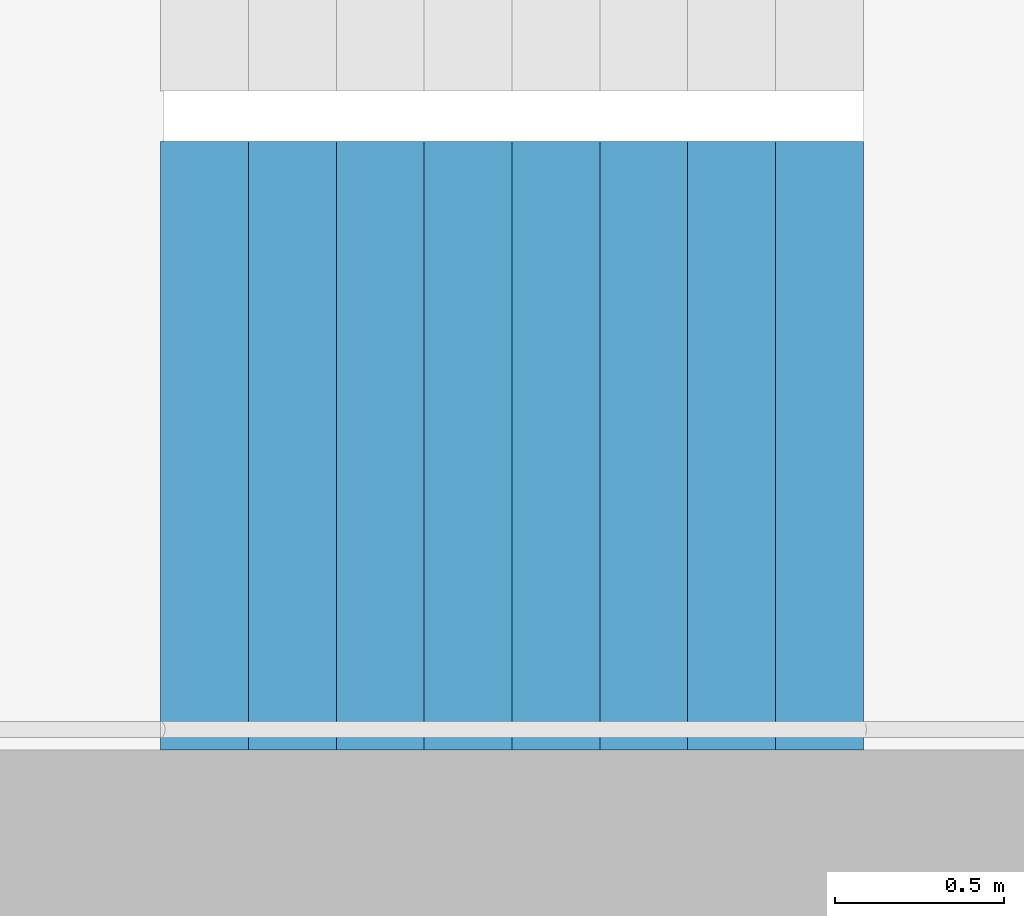
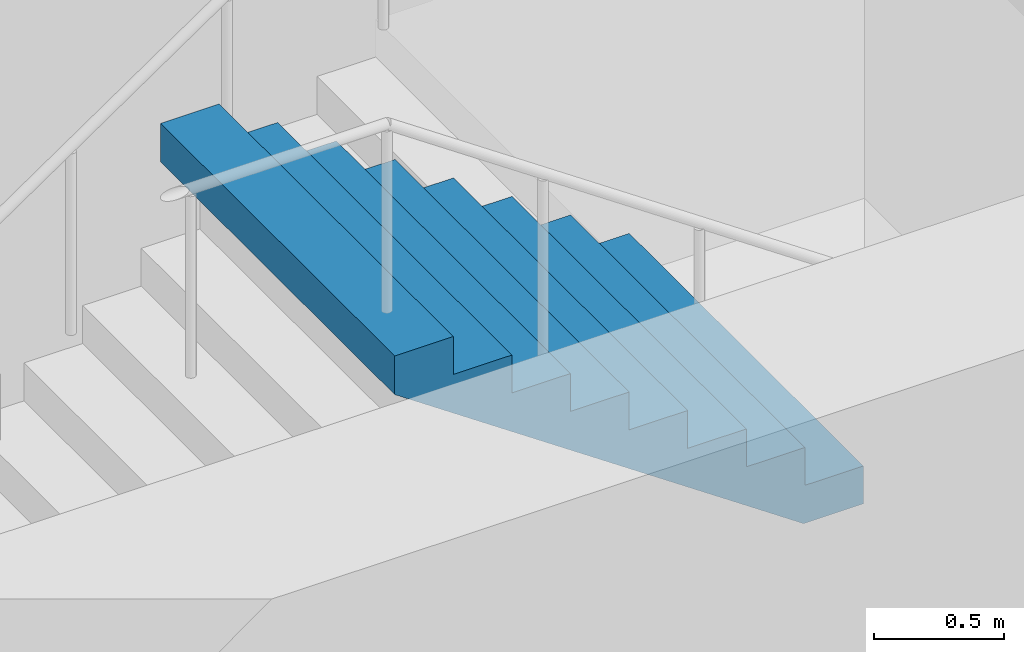
# One storey, part 25 of 29: 1 stair flight, 1 element without a shape of its own.
"""IFC4 building model written with IfcOpenShell, lengths in metres."""

from ifc_helpers import new_model, si_unit, direction, frame, origin, place, context, subcontext, project, spatial, triangles, material, type_object, element, aggregate, save


model = new_model("IFC4")

# Units and contexts
model_context = context("Model", 3, precision=1e-05, world=origin(), true_north=direction((0.0, 1.0)))
body_context = subcontext(model_context, "Body", "Model", "MODEL_VIEW")
ifc_project = project(units=[si_unit("LENGTHUNIT", "METRE"), si_unit("AREAUNIT", "SQUARE_METRE"), si_unit("VOLUMEUNIT", "CUBIC_METRE"), si_unit("PLANEANGLEUNIT", "RADIAN"), si_unit("MASSUNIT", "GRAM", prefix="KILO")], contexts=[model_context])

# Site, building, storey
site_placement = place(None, origin())
site = spatial("IfcSite", under=ifc_project, at=site_placement, CompositionType="ELEMENT")
building_placement = place(site_placement, origin())
building = spatial("IfcBuilding", under=site, at=building_placement, Name="Hakoniwa Tower and Hamabe Station Hall", CompositionType="ELEMENT")
storey_placement = place(building_placement, frame((0.0, 0.0, 97.800048828125)))
storey = spatial("IfcBuildingStorey", under=building, at=storey_placement, Name="L27", CompositionType="ELEMENT", Elevation=97.800048828125)

# Stair, stair flight
ifc_material_1 = material(Name="Concrete C40", Category="concrete")
stair_type = type_object("IfcStairType", Name="ESCAPE STAIR 1800", PredefinedType="HALF_TURN_STAIR", material=ifc_material_1)
stair_placement = place(storey_placement, origin())
stair = element("IfcStair", 1, at=stair_placement, inside=storey, type_object=stair_type, Name="Escape stair ST-4 L27", PredefinedType="HALF_TURN_STAIR")
ifc_material_2 = material(Name="Concrete C40", Category="concrete")
stair_flight_type = type_object("IfcStairFlightType", Name="STAIR FLIGHT 1800", PredefinedType="STRAIGHT", material=ifc_material_2)
stair_flight_placement = place(storey_placement, frame((25.47998046875, -6.60009765625, 1.599853515625), z_axis=(0.0, 0.0, 1.0), x_axis=(-1.0, 0.0, 0.0)))
stair_flight = element("IfcStairFlight", 2, at=stair_flight_placement, type_object=stair_flight_type, Name="ST-4 flight 2", NumberOfRisers=9, NumberOfTreads=8, PredefinedType="STRAIGHT", RiserHeight=0.177777778, TreadLength=0.26, context=body_context, shape_type="Tessellation", body=[
    triangles([(0.0, 0.89990234375, 0.0), (0.260009765625, 0.89990234375, 0.0), (0.265625, 0.89990234375, 0.0), (0.52001953125, 0.89990234375, 0.174072265625), (0.780029296875, 0.89990234375, 0.351806640625), (1.0400390625, 0.89990234375, 0.529541015625), (1.300048828125, 0.89990234375, 0.707275390625), (1.56005859375, 0.89990234375, 0.885009765625), (1.820068359375, 0.89990234375, 1.062744140625), (2.080078125, 0.89990234375, 1.24072265625), (2.080078125, 0.89990234375, 1.422119140625), (1.820068359375, 0.89990234375, 1.422119140625), (1.820068359375, 0.89990234375, 1.244384765625), (1.56005859375, 0.89990234375, 1.244384765625), (1.56005859375, 0.89990234375, 1.066650390625), (1.300048828125, 0.89990234375, 1.066650390625), (1.300048828125, 0.89990234375, 0.888916015625), (1.0400390625, 0.89990234375, 0.888916015625), (1.0400390625, 0.89990234375, 0.711181640625), (0.780029296875, 0.89990234375, 0.711181640625), (0.780029296875, 0.89990234375, 0.533447265625), (0.52001953125, 0.89990234375, 0.533447265625), (0.52001953125, 0.89990234375, 0.35546875), (0.265625, 0.89990234375, 0.35546875), (0.260009765625, 0.89990234375, 0.35546875), (0.260009765625, 0.89990234375, 0.177734375), (0.0, 0.89990234375, 0.177734375), (0.0, 0.06005859375, 0.0), (0.260009765625, 0.06005859375, 0.0), (0.265625, 0.06005859375, 0.0), (0.52001953125, 0.06005859375, 0.174072265625), (0.780029296875, 0.06005859375, 0.351806640625), (1.0400390625, 0.06005859375, 0.529541015625), (1.300048828125, 0.06005859375, 0.707275390625), (1.56005859375, 0.06005859375, 0.885009765625), (1.820068359375, 0.06005859375, 1.062744140625), (2.080078125, 0.06005859375, 1.24072265625), (2.080078125, 0.06005859375, 1.422119140625), (1.820068359375, 0.06005859375, 1.422119140625), (1.820068359375, 0.06005859375, 1.244384765625), (1.56005859375, 0.06005859375, 1.244384765625), (1.56005859375, 0.06005859375, 1.066650390625), (1.300048828125, 0.06005859375, 1.066650390625), (1.300048828125, 0.06005859375, 0.888916015625), (1.0400390625, 0.06005859375, 0.888916015625), (1.0400390625, 0.06005859375, 0.711181640625), (0.780029296875, 0.06005859375, 0.711181640625), (0.780029296875, 0.06005859375, 0.533447265625), (0.52001953125, 0.06005859375, 0.533447265625), (0.52001953125, 0.06005859375, 0.35546875), (0.265625, 0.06005859375, 0.35546875), (0.260009765625, 0.06005859375, 0.35546875), (0.260009765625, 0.06005859375, 0.177734375), (0.0, 0.06005859375, 0.177734375), (0.0, 0.04296875, 0.0), (0.260009765625, 0.04296875, 0.0), (0.265625, 0.04296875, 0.0), (0.52001953125, 0.04296875, 0.174072265625), (0.780029296875, 0.04296875, 0.351806640625), (1.0400390625, 0.04296875, 0.529541015625), (1.300048828125, 0.04296875, 0.707275390625), (1.56005859375, 0.04296875, 0.885009765625), (1.820068359375, 0.04296875, 1.062744140625), (2.080078125, 0.04296875, 1.24072265625), (2.080078125, 0.04296875, 1.422119140625), (1.820068359375, 0.04296875, 1.422119140625), (1.820068359375, 0.04296875, 1.244384765625), (1.56005859375, 0.04296875, 1.244384765625), (1.56005859375, 0.04296875, 1.066650390625), (1.300048828125, 0.04296875, 1.066650390625), (1.300048828125, 0.04296875, 0.888916015625), (1.0400390625, 0.04296875, 0.888916015625), (1.0400390625, 0.04296875, 0.711181640625), (0.780029296875, 0.04296875, 0.711181640625), (0.780029296875, 0.04296875, 0.533447265625), (0.52001953125, 0.04296875, 0.533447265625), (0.52001953125, 0.04296875, 0.35546875), (0.265625, 0.04296875, 0.35546875), (0.260009765625, 0.04296875, 0.35546875), (0.260009765625, 0.04296875, 0.177734375), (0.0, 0.04296875, 0.177734375), (0.0, 0.025634765625, 0.0), (0.260009765625, 0.025634765625, 0.0), (0.265625, 0.025634765625, 0.0), (0.52001953125, 0.025634765625, 0.174072265625), (0.780029296875, 0.025634765625, 0.351806640625), (1.0400390625, 0.025634765625, 0.529541015625), (1.300048828125, 0.025634765625, 0.707275390625), (1.56005859375, 0.025634765625, 0.885009765625), (1.820068359375, 0.025634765625, 1.062744140625), (2.080078125, 0.025634765625, 1.24072265625), (2.080078125, 0.025634765625, 1.422119140625), (1.820068359375, 0.025634765625, 1.422119140625), (1.820068359375, 0.025634765625, 1.244384765625), (1.56005859375, 0.025634765625, 1.244384765625), (1.56005859375, 0.025634765625, 1.066650390625), (1.300048828125, 0.025634765625, 1.066650390625), (1.300048828125, 0.025634765625, 0.888916015625), (1.0400390625, 0.025634765625, 0.888916015625), (1.0400390625, 0.025634765625, 0.711181640625), (0.780029296875, 0.025634765625, 0.711181640625), (0.780029296875, 0.025634765625, 0.533447265625), (0.52001953125, 0.025634765625, 0.533447265625), (0.52001953125, 0.025634765625, 0.35546875), (0.265625, 0.025634765625, 0.35546875), (0.260009765625, 0.025634765625, 0.35546875), (0.260009765625, 0.025634765625, 0.177734375), (0.0, 0.025634765625, 0.177734375), (0.0, 0.008544921875, 0.0), (0.260009765625, 0.008544921875, 0.0), (0.265625, 0.008544921875, 0.0), (0.52001953125, 0.008544921875, 0.174072265625), (0.780029296875, 0.008544921875, 0.351806640625), (1.0400390625, 0.008544921875, 0.529541015625), (1.300048828125, 0.008544921875, 0.707275390625), (1.56005859375, 0.008544921875, 0.885009765625), (1.820068359375, 0.008544921875, 1.062744140625), (2.080078125, 0.008544921875, 1.24072265625), (2.080078125, 0.008544921875, 1.422119140625), (1.820068359375, 0.008544921875, 1.422119140625), (1.820068359375, 0.008544921875, 1.244384765625), (1.56005859375, 0.008544921875, 1.244384765625), (1.56005859375, 0.008544921875, 1.066650390625), (1.300048828125, 0.008544921875, 1.066650390625), (1.300048828125, 0.008544921875, 0.888916015625), (1.0400390625, 0.008544921875, 0.888916015625), (1.0400390625, 0.008544921875, 0.711181640625), (0.780029296875, 0.008544921875, 0.711181640625), (0.780029296875, 0.008544921875, 0.533447265625), (0.52001953125, 0.008544921875, 0.533447265625), (0.52001953125, 0.008544921875, 0.35546875), (0.265625, 0.008544921875, 0.35546875), (0.260009765625, 0.008544921875, 0.35546875), (0.260009765625, 0.008544921875, 0.177734375), (0.0, 0.008544921875, 0.177734375), (0.0, -0.008544921875, 0.0), (0.260009765625, -0.008544921875, 0.0), (0.265625, -0.008544921875, 0.0), (0.52001953125, -0.008544921875, 0.174072265625), (0.780029296875, -0.008544921875, 0.351806640625), (1.0400390625, -0.008544921875, 0.529541015625), (1.300048828125, -0.008544921875, 0.707275390625), (1.56005859375, -0.008544921875, 0.885009765625), (1.820068359375, -0.008544921875, 1.062744140625), (2.080078125, -0.008544921875, 1.24072265625), (2.080078125, -0.008544921875, 1.422119140625), (1.820068359375, -0.008544921875, 1.422119140625), (1.820068359375, -0.008544921875, 1.244384765625), (1.56005859375, -0.008544921875, 1.244384765625), (1.56005859375, -0.008544921875, 1.066650390625), (1.300048828125, -0.008544921875, 1.066650390625), (1.300048828125, -0.008544921875, 0.888916015625), (1.0400390625, -0.008544921875, 0.888916015625), (1.0400390625, -0.008544921875, 0.711181640625), (0.780029296875, -0.008544921875, 0.711181640625), (0.780029296875, -0.008544921875, 0.533447265625), (0.52001953125, -0.008544921875, 0.533447265625), (0.52001953125, -0.008544921875, 0.35546875), (0.265625, -0.008544921875, 0.35546875), (0.260009765625, -0.008544921875, 0.35546875), (0.260009765625, -0.008544921875, 0.177734375), (0.0, -0.008544921875, 0.177734375), (0.0, -0.025634765625, 0.0), (0.260009765625, -0.025634765625, 0.0), (0.265625, -0.025634765625, 0.0), (0.52001953125, -0.025634765625, 0.174072265625), (0.780029296875, -0.025634765625, 0.351806640625), (1.0400390625, -0.025634765625, 0.529541015625), (1.300048828125, -0.025634765625, 0.707275390625), (1.56005859375, -0.025634765625, 0.885009765625), (1.820068359375, -0.025634765625, 1.062744140625), (2.080078125, -0.025634765625, 1.24072265625), (2.080078125, -0.025634765625, 1.422119140625), (1.820068359375, -0.025634765625, 1.422119140625), (1.820068359375, -0.025634765625, 1.244384765625), (1.56005859375, -0.025634765625, 1.244384765625), (1.56005859375, -0.025634765625, 1.066650390625), (1.300048828125, -0.025634765625, 1.066650390625), (1.300048828125, -0.025634765625, 0.888916015625), (1.0400390625, -0.025634765625, 0.888916015625), (1.0400390625, -0.025634765625, 0.711181640625), (0.780029296875, -0.025634765625, 0.711181640625), (0.780029296875, -0.025634765625, 0.533447265625), (0.52001953125, -0.025634765625, 0.533447265625), (0.52001953125, -0.025634765625, 0.35546875), (0.265625, -0.025634765625, 0.35546875), (0.260009765625, -0.025634765625, 0.35546875), (0.260009765625, -0.025634765625, 0.177734375), (0.0, -0.025634765625, 0.177734375), (0.0, -0.04296875, 0.0), (0.260009765625, -0.04296875, 0.0), (0.265625, -0.04296875, 0.0), (0.52001953125, -0.04296875, 0.174072265625), (0.780029296875, -0.04296875, 0.351806640625), (1.0400390625, -0.04296875, 0.529541015625), (1.300048828125, -0.04296875, 0.707275390625), (1.56005859375, -0.04296875, 0.885009765625), (1.820068359375, -0.04296875, 1.062744140625), (2.080078125, -0.04296875, 1.24072265625), (2.080078125, -0.04296875, 1.422119140625), (1.820068359375, -0.04296875, 1.422119140625), (1.820068359375, -0.04296875, 1.244384765625), (1.56005859375, -0.04296875, 1.244384765625), (1.56005859375, -0.04296875, 1.066650390625), (1.300048828125, -0.04296875, 1.066650390625), (1.300048828125, -0.04296875, 0.888916015625), (1.0400390625, -0.04296875, 0.888916015625), (1.0400390625, -0.04296875, 0.711181640625), (0.780029296875, -0.04296875, 0.711181640625), (0.780029296875, -0.04296875, 0.533447265625), (0.52001953125, -0.04296875, 0.533447265625), (0.52001953125, -0.04296875, 0.35546875), (0.265625, -0.04296875, 0.35546875), (0.260009765625, -0.04296875, 0.35546875), (0.260009765625, -0.04296875, 0.177734375), (0.0, -0.04296875, 0.177734375), (0.0, -0.06005859375, 0.0), (0.260009765625, -0.06005859375, 0.0), (0.265625, -0.06005859375, 0.0), (0.52001953125, -0.06005859375, 0.174072265625), (0.780029296875, -0.06005859375, 0.351806640625), (1.0400390625, -0.06005859375, 0.529541015625), (1.300048828125, -0.06005859375, 0.707275390625), (1.56005859375, -0.06005859375, 0.885009765625), (1.820068359375, -0.06005859375, 1.062744140625), (2.080078125, -0.06005859375, 1.24072265625), (2.080078125, -0.06005859375, 1.422119140625), (1.820068359375, -0.06005859375, 1.422119140625), (1.820068359375, -0.06005859375, 1.244384765625), (1.56005859375, -0.06005859375, 1.244384765625), (1.56005859375, -0.06005859375, 1.066650390625), (1.300048828125, -0.06005859375, 1.066650390625), (1.300048828125, -0.06005859375, 0.888916015625), (1.0400390625, -0.06005859375, 0.888916015625), (1.0400390625, -0.06005859375, 0.711181640625), (0.780029296875, -0.06005859375, 0.711181640625), (0.780029296875, -0.06005859375, 0.533447265625), (0.52001953125, -0.06005859375, 0.533447265625), (0.52001953125, -0.06005859375, 0.35546875), (0.265625, -0.06005859375, 0.35546875), (0.260009765625, -0.06005859375, 0.35546875), (0.260009765625, -0.06005859375, 0.177734375), (0.0, -0.06005859375, 0.177734375), (0.0, -0.89990234375, 0.0), (0.260009765625, -0.89990234375, 0.0), (0.265625, -0.89990234375, 0.0), (0.52001953125, -0.89990234375, 0.174072265625), (0.780029296875, -0.89990234375, 0.351806640625), (1.0400390625, -0.89990234375, 0.529541015625), (1.300048828125, -0.89990234375, 0.707275390625), (1.56005859375, -0.89990234375, 0.885009765625), (1.820068359375, -0.89990234375, 1.062744140625), (2.080078125, -0.89990234375, 1.24072265625), (2.080078125, -0.89990234375, 1.422119140625), (1.820068359375, -0.89990234375, 1.422119140625), (1.820068359375, -0.89990234375, 1.244384765625), (1.56005859375, -0.89990234375, 1.244384765625), (1.56005859375, -0.89990234375, 1.066650390625), (1.300048828125, -0.89990234375, 1.066650390625), (1.300048828125, -0.89990234375, 0.888916015625), (1.0400390625, -0.89990234375, 0.888916015625), (1.0400390625, -0.89990234375, 0.711181640625), (0.780029296875, -0.89990234375, 0.711181640625), (0.780029296875, -0.89990234375, 0.533447265625), (0.52001953125, -0.89990234375, 0.533447265625), (0.52001953125, -0.89990234375, 0.35546875), (0.265625, -0.89990234375, 0.35546875), (0.260009765625, -0.89990234375, 0.35546875), (0.260009765625, -0.89990234375, 0.177734375), (0.0, -0.89990234375, 0.177734375)], [[2, 27, 26], [245, 269, 270], [2, 1, 27], [245, 270, 244], [3, 25, 24], [246, 267, 268], [3, 26, 25], [246, 268, 269], [3, 2, 26], [246, 269, 245], [4, 24, 23], [247, 266, 267], [4, 3, 24], [247, 267, 246], [5, 22, 21], [248, 264, 265], [5, 23, 22], [248, 265, 266], [5, 4, 23], [248, 266, 247], [6, 20, 19], [249, 262, 263], [6, 21, 20], [249, 263, 264], [6, 5, 21], [249, 264, 248], [7, 18, 17], [250, 260, 261], [7, 19, 18], [250, 261, 262], [7, 6, 19], [250, 262, 249], [8, 16, 15], [251, 258, 259], [8, 17, 16], [251, 259, 260], [8, 7, 17], [251, 260, 250], [9, 14, 13], [252, 256, 257], [9, 15, 14], [252, 257, 258], [9, 8, 15], [252, 258, 251], [10, 12, 11], [253, 254, 255], [10, 13, 12], [253, 255, 256], [10, 9, 13], [253, 256, 252], [1, 2, 29], [1, 29, 28], [28, 29, 56], [28, 56, 55], [55, 56, 83], [55, 83, 82], [82, 83, 110], [82, 110, 109], [109, 110, 137], [109, 137, 136], [136, 137, 164], [136, 164, 163], [163, 164, 191], [163, 191, 190], [190, 191, 218], [190, 218, 217], [217, 218, 245], [217, 245, 244], [2, 3, 30], [2, 30, 29], [29, 30, 57], [29, 57, 56], [56, 57, 84], [56, 84, 83], [83, 84, 111], [83, 111, 110], [110, 111, 138], [110, 138, 137], [137, 138, 165], [137, 165, 164], [164, 165, 192], [164, 192, 191], [191, 192, 219], [191, 219, 218], [218, 219, 246], [218, 246, 245], [3, 4, 31], [3, 31, 30], [30, 31, 58], [30, 58, 57], [57, 58, 85], [57, 85, 84], [84, 85, 112], [84, 112, 111], [111, 112, 139], [111, 139, 138], [138, 139, 166], [138, 166, 165], [165, 166, 193], [165, 193, 192], [192, 193, 220], [192, 220, 219], [219, 220, 247], [219, 247, 246], [4, 5, 32], [4, 32, 31], [31, 32, 59], [31, 59, 58], [58, 59, 86], [58, 86, 85], [85, 86, 113], [85, 113, 112], [112, 113, 140], [112, 140, 139], [139, 140, 167], [139, 167, 166], [166, 167, 194], [166, 194, 193], [193, 194, 221], [193, 221, 220], [220, 221, 248], [220, 248, 247], [5, 6, 33], [5, 33, 32], [32, 33, 60], [32, 60, 59], [59, 60, 87], [59, 87, 86], [86, 87, 114], [86, 114, 113], [113, 114, 141], [113, 141, 140], [140, 141, 168], [140, 168, 167], [167, 168, 195], [167, 195, 194], [194, 195, 222], [194, 222, 221], [221, 222, 249], [221, 249, 248], [6, 7, 34], [6, 34, 33], [33, 34, 61], [33, 61, 60], [60, 61, 88], [60, 88, 87], [87, 88, 115], [87, 115, 114], [114, 115, 142], [114, 142, 141], [141, 142, 169], [141, 169, 168], [168, 169, 196], [168, 196, 195], [195, 196, 223], [195, 223, 222], [222, 223, 250], [222, 250, 249], [7, 8, 35], [7, 35, 34], [34, 35, 62], [34, 62, 61], [61, 62, 89], [61, 89, 88], [88, 89, 116], [88, 116, 115], [115, 116, 143], [115, 143, 142], [142, 143, 170], [142, 170, 169], [169, 170, 197], [169, 197, 196], [196, 197, 224], [196, 224, 223], [223, 224, 251], [223, 251, 250], [8, 9, 36], [8, 36, 35], [35, 36, 63], [35, 63, 62], [62, 63, 90], [62, 90, 89], [89, 90, 117], [89, 117, 116], [116, 117, 144], [116, 144, 143], [143, 144, 171], [143, 171, 170], [170, 171, 198], [170, 198, 197], [197, 198, 225], [197, 225, 224], [224, 225, 252], [224, 252, 251], [9, 10, 37], [9, 37, 36], [36, 37, 64], [36, 64, 63], [63, 64, 91], [63, 91, 90], [90, 91, 118], [90, 118, 117], [117, 118, 145], [117, 145, 144], [144, 145, 172], [144, 172, 171], [171, 172, 199], [171, 199, 198], [198, 199, 226], [198, 226, 225], [225, 226, 253], [225, 253, 252], [10, 11, 38], [10, 38, 37], [37, 38, 65], [37, 65, 64], [64, 65, 92], [64, 92, 91], [91, 92, 119], [91, 119, 118], [118, 119, 146], [118, 146, 145], [145, 146, 173], [145, 173, 172], [172, 173, 200], [172, 200, 199], [199, 200, 227], [199, 227, 226], [226, 227, 254], [226, 254, 253], [11, 12, 39], [11, 39, 38], [38, 39, 66], [38, 66, 65], [65, 66, 93], [65, 93, 92], [92, 93, 120], [92, 120, 119], [119, 120, 147], [119, 147, 146], [146, 147, 174], [146, 174, 173], [173, 174, 201], [173, 201, 200], [200, 201, 228], [200, 228, 227], [227, 228, 255], [227, 255, 254], [12, 13, 40], [12, 40, 39], [39, 40, 67], [39, 67, 66], [66, 67, 94], [66, 94, 93], [93, 94, 121], [93, 121, 120], [120, 121, 148], [120, 148, 147], [147, 148, 175], [147, 175, 174], [174, 175, 202], [174, 202, 201], [201, 202, 229], [201, 229, 228], [228, 229, 256], [228, 256, 255], [13, 14, 41], [13, 41, 40], [40, 41, 68], [40, 68, 67], [67, 68, 95], [67, 95, 94], [94, 95, 122], [94, 122, 121], [121, 122, 149], [121, 149, 148], [148, 149, 176], [148, 176, 175], [175, 176, 203], [175, 203, 202], [202, 203, 230], [202, 230, 229], [229, 230, 257], [229, 257, 256], [14, 15, 42], [14, 42, 41], [41, 42, 69], [41, 69, 68], [68, 69, 96], [68, 96, 95], [95, 96, 123], [95, 123, 122], [122, 123, 150], [122, 150, 149], [149, 150, 177], [149, 177, 176], [176, 177, 204], [176, 204, 203], [203, 204, 231], [203, 231, 230], [230, 231, 258], [230, 258, 257], [15, 16, 43], [15, 43, 42], [42, 43, 70], [42, 70, 69], [69, 70, 97], [69, 97, 96], [96, 97, 124], [96, 124, 123], [123, 124, 151], [123, 151, 150], [150, 151, 178], [150, 178, 177], [177, 178, 205], [177, 205, 204], [204, 205, 232], [204, 232, 231], [231, 232, 259], [231, 259, 258], [16, 17, 44], [16, 44, 43], [43, 44, 71], [43, 71, 70], [70, 71, 98], [70, 98, 97], [97, 98, 125], [97, 125, 124], [124, 125, 152], [124, 152, 151], [151, 152, 179], [151, 179, 178], [178, 179, 206], [178, 206, 205], [205, 206, 233], [205, 233, 232], [232, 233, 260], [232, 260, 259], [17, 18, 45], [17, 45, 44], [44, 45, 72], [44, 72, 71], [71, 72, 99], [71, 99, 98], [98, 99, 126], [98, 126, 125], [125, 126, 153], [125, 153, 152], [152, 153, 180], [152, 180, 179], [179, 180, 207], [179, 207, 206], [206, 207, 234], [206, 234, 233], [233, 234, 261], [233, 261, 260], [18, 19, 46], [18, 46, 45], [45, 46, 73], [45, 73, 72], [72, 73, 100], [72, 100, 99], [99, 100, 127], [99, 127, 126], [126, 127, 154], [126, 154, 153], [153, 154, 181], [153, 181, 180], [180, 181, 208], [180, 208, 207], [207, 208, 235], [207, 235, 234], [234, 235, 262], [234, 262, 261], [19, 20, 47], [19, 47, 46], [46, 47, 74], [46, 74, 73], [73, 74, 101], [73, 101, 100], [100, 101, 128], [100, 128, 127], [127, 128, 155], [127, 155, 154], [154, 155, 182], [154, 182, 181], [181, 182, 209], [181, 209, 208], [208, 209, 236], [208, 236, 235], [235, 236, 263], [235, 263, 262], [20, 21, 48], [20, 48, 47], [47, 48, 75], [47, 75, 74], [74, 75, 102], [74, 102, 101], [101, 102, 129], [101, 129, 128], [128, 129, 156], [128, 156, 155], [155, 156, 183], [155, 183, 182], [182, 183, 210], [182, 210, 209], [209, 210, 237], [209, 237, 236], [236, 237, 264], [236, 264, 263], [21, 22, 49], [21, 49, 48], [48, 49, 76], [48, 76, 75], [75, 76, 103], [75, 103, 102], [102, 103, 130], [102, 130, 129], [129, 130, 157], [129, 157, 156], [156, 157, 184], [156, 184, 183], [183, 184, 211], [183, 211, 210], [210, 211, 238], [210, 238, 237], [237, 238, 265], [237, 265, 264], [22, 23, 50], [22, 50, 49], [49, 50, 77], [49, 77, 76], [76, 77, 104], [76, 104, 103], [103, 104, 131], [103, 131, 130], [130, 131, 158], [130, 158, 157], [157, 158, 185], [157, 185, 184], [184, 185, 212], [184, 212, 211], [211, 212, 239], [211, 239, 238], [238, 239, 266], [238, 266, 265], [23, 24, 51], [23, 51, 50], [50, 51, 78], [50, 78, 77], [77, 78, 105], [77, 105, 104], [104, 105, 132], [104, 132, 131], [131, 132, 159], [131, 159, 158], [158, 159, 186], [158, 186, 185], [185, 186, 213], [185, 213, 212], [212, 213, 240], [212, 240, 239], [239, 240, 267], [239, 267, 266], [24, 25, 52], [24, 52, 51], [51, 52, 79], [51, 79, 78], [78, 79, 106], [78, 106, 105], [105, 106, 133], [105, 133, 132], [132, 133, 160], [132, 160, 159], [159, 160, 187], [159, 187, 186], [186, 187, 214], [186, 214, 213], [213, 214, 241], [213, 241, 240], [240, 241, 268], [240, 268, 267], [25, 26, 53], [25, 53, 52], [52, 53, 80], [52, 80, 79], [79, 80, 107], [79, 107, 106], [106, 107, 134], [106, 134, 133], [133, 134, 161], [133, 161, 160], [160, 161, 188], [160, 188, 187], [187, 188, 215], [187, 215, 214], [214, 215, 242], [214, 242, 241], [241, 242, 269], [241, 269, 268], [26, 27, 54], [26, 54, 53], [53, 54, 81], [53, 81, 80], [80, 81, 108], [80, 108, 107], [107, 108, 135], [107, 135, 134], [134, 135, 162], [134, 162, 161], [161, 162, 189], [161, 189, 188], [188, 189, 216], [188, 216, 215], [215, 216, 243], [215, 243, 242], [242, 243, 270], [242, 270, 269], [27, 1, 28], [27, 28, 54], [54, 28, 55], [54, 55, 81], [81, 55, 82], [81, 82, 108], [108, 82, 109], [108, 109, 135], [135, 109, 136], [135, 136, 162], [162, 136, 163], [162, 163, 189], [189, 163, 190], [189, 190, 216], [216, 190, 217], [216, 217, 243], [243, 217, 244], [243, 244, 270]], closed=True),
])
aggregate(stair, [stair_flight])

save(model, "model.ifc")
